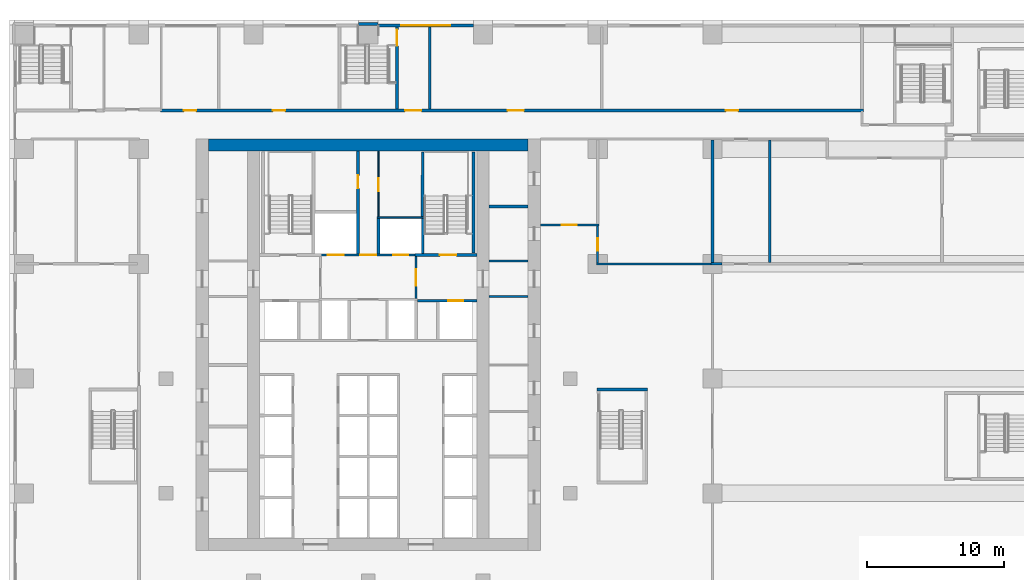
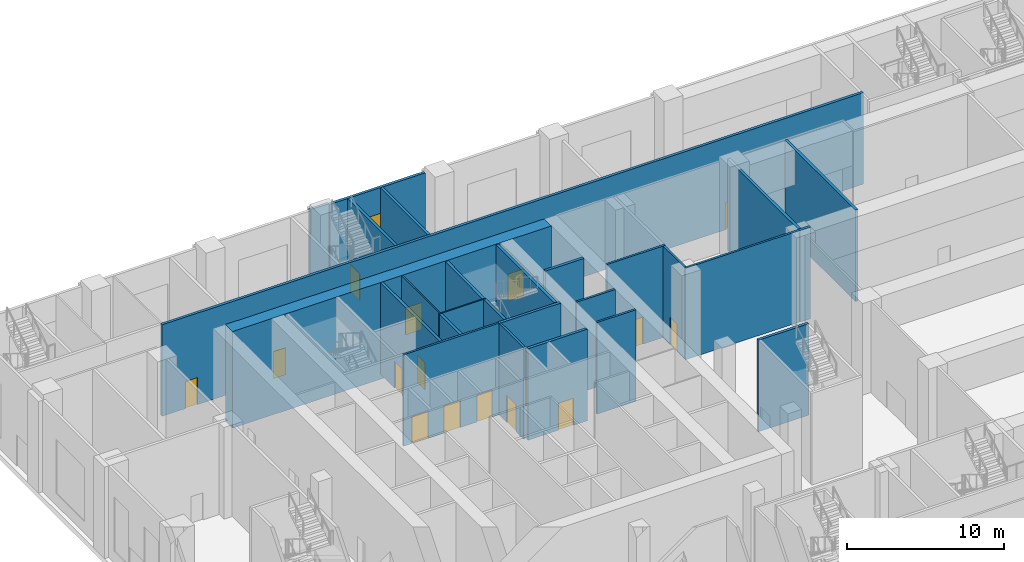
# One storey, part 12 of 29: 27 walls, 16 doors, 1 window, 17 openings.
"""IFC4 building model written with IfcOpenShell, lengths in metres."""

from ifc_helpers import new_model, si_unit, direction, frame, frame_2d, origin, place, context, subcontext, project, spatial, rectangle, extrude, material, layer, layer_set, type_object, element, fill, save


model = new_model("IFC4")

# Units and contexts
model_context = context("Model", 3, precision=1e-05, world=origin(), true_north=direction((0.0, 1.0)))
body_context = subcontext(model_context, "Body", "Model", "MODEL_VIEW")
ifc_project = project(units=[si_unit("LENGTHUNIT", "METRE"), si_unit("AREAUNIT", "SQUARE_METRE"), si_unit("VOLUMEUNIT", "CUBIC_METRE"), si_unit("PLANEANGLEUNIT", "RADIAN"), si_unit("MASSUNIT", "GRAM", prefix="KILO")], contexts=[model_context])

# Site, building, storey
site_placement = place(None, origin())
site = spatial("IfcSite", under=ifc_project, at=site_placement, CompositionType="ELEMENT")
building_placement = place(site_placement, origin())
building = spatial("IfcBuilding", under=site, at=building_placement, Name="Vermilion Ogive Tower", CompositionType="ELEMENT")
storey_placement = place(building_placement, frame((0.0, 0.0, 12.5)))
storey = spatial("IfcBuildingStorey", under=building, at=storey_placement, Name="L02", CompositionType="ELEMENT", Elevation=12.5)

# Wall
ifc_material_1 = material(Name="Gypsum board partition on steel studs", Category="steel")
ifc_layer_1 = layer(ifc_material_1, 0.10009765625)
ifc_layer_set_1 = layer_set([ifc_layer_1], Name="Partition 100 bath")
wall_type_1 = type_object("IfcWallType", Name="Partition 100 bath", PredefinedType="PARTITIONING", material=ifc_layer_set_1)
wall_1_placement = place(storey_placement, frame((0.64990234375, 16.0, 0.0), z_axis=(0.0, 0.0, 1.0), x_axis=(1.0, 0.0, 0.0)))
element("IfcWall", 1, at=wall_1_placement, inside=storey, type_object=wall_type_1, Name="L02-CK-W-W020", PredefinedType="PARTITIONING", context=body_context, shape_type="SweptSolid", body=[
    extrude(rectangle(XDim=3.4501953125, YDim=0.10009765625, at=frame_2d((1.72509765625, 0.0))), origin(), (0.0, 0.0, 1.0), 7.10009765625),
])

# Wall, opening, door
wall_2_placement = place(storey_placement, frame((0.75, 16.050048828125, 0.0), z_axis=(0.0, 0.0, 1.0), x_axis=(0.0, 1.0, 0.0)))
wall_2 = element("IfcWall", 2, at=wall_2_placement, inside=storey, type_object=wall_type_1, Name="L02-CK-W-W032", PredefinedType="PARTITIONING", context=body_context, shape_type="SweptSolid", body=[
    extrude(rectangle(XDim=4.799072265625, YDim=0.10009765625, at=frame_2d((2.3994140625, 0.0))), origin(), (0.0, 0.0, 1.0), 7.10009765625),
])
opening_1_placement = place(wall_2_placement, frame((1.875, 0.0, 0.0)))
opening_1 = element("IfcOpeningElement", 3, at=opening_1_placement, cuts=wall_2, Name="Opening DAB061", PredefinedType="OPENING", context=body_context, shape_type="SweptSolid", body=[
    extrude(rectangle(XDim=0.949951171875, YDim=2.10009765625, at=frame_2d((0.47509765625, 1.050048828125))), frame((0.0, 0.06005859375, 0.0), z_axis=(0.0, -1.0, 0.0), x_axis=(1.0, 0.0, 0.0)), (0.0, 0.0, 1.0), 0.1201171875),
])
ifc_material_2 = material(Name="Timber door leaf", Category="wood")
door_type_1 = type_object("IfcDoorType", Name="Service door 950 x 2100 FD60", OperationType="SINGLE_SWING_LEFT", PredefinedType="DOOR", material=ifc_material_2)
door_1_placement = place(opening_1_placement, origin())
door_1 = element("IfcDoor", 4, at=door_1_placement, inside=storey, type_object=door_type_1, Name="L02-CK-D-D021", OperationType="SINGLE_SWING_LEFT", OverallHeight=2.10009765625, OverallWidth=0.949951171875, PredefinedType="DOOR", context=body_context, shape_type="SweptSolid", body=[
    extrude(rectangle(XDim=0.949951171875, YDim=2.10009765625, at=frame_2d((0.47509765625, 1.050048828125))), frame((0.0, 0.02490234375, 0.0), z_axis=(0.0, -1.0, 0.0), x_axis=(1.0, 0.0, 0.0)), (0.0, 0.0, 1.0), 0.050048828125),
])
fill(opening_1, door_1)

# Wall
ifc_material_3 = material(Name="Gypsum board partition on steel studs", Category="steel")
ifc_layer_2 = layer(ifc_material_3, 0.14990234375)
ifc_layer_set_2 = layer_set([ifc_layer_2], Name="Partition 150 corridor")
wall_type_2 = type_object("IfcWallType", Name="Partition 150 corridor", PredefinedType="PARTITIONING", material=ifc_layer_set_2)
wall_3_placement = place(storey_placement, frame((16.72509765625, 12.60009765625, 0.0), z_axis=(0.0, 0.0, 1.0), x_axis=(1.0, 0.0, 0.0)))
element("IfcWall", 5, at=wall_3_placement, inside=storey, type_object=wall_type_2, Name="L02-FS-W-W025", PredefinedType="PARTITIONING", context=body_context, shape_type="SweptSolid", body=[
    extrude(rectangle(XDim=8.574951171875, YDim=0.14990234375, at=frame_2d((4.28759765625, 0.0))), origin(), (0.0, 0.0, 1.0), 7.10009765625),
])

# Wall, opening, door
wall_4_placement = place(storey_placement, frame((12.60107421875, 15.449951171875, 0.0), z_axis=(0.0, 0.0, 1.0), x_axis=(1.0, 0.0, 0.0)))
wall_4 = element("IfcWall", 6, at=wall_4_placement, inside=storey, type_object=wall_type_2, Name="L02-FS-W-W027", PredefinedType="PARTITIONING", context=body_context, shape_type="SweptSolid", body=[
    extrude(rectangle(XDim=4.298828125, YDim=0.14990234375, at=frame_2d((2.1494140625, 0.0))), origin(), (0.0, 0.0, 1.0), 7.10009765625),
])
opening_2_placement = place(wall_4_placement, frame((1.549072265625, 0.0, 0.0)))
opening_2 = element("IfcOpeningElement", 7, at=opening_2_placement, cuts=wall_4, Name="Opening L02S018", PredefinedType="OPENING", context=body_context, shape_type="SweptSolid", body=[
    extrude(rectangle(XDim=1.10009765625, YDim=2.10009765625, at=frame_2d((0.550048828125, 1.050048828125))), frame((0.0, 0.0849609375, 0.0), z_axis=(0.0, -1.0, 0.0), x_axis=(1.0, 0.0, 0.0)), (0.0, 0.0, 1.0), 0.169921875),
])
ifc_material_4 = material(Name="Timber door leaf", Category="wood")
door_type_2 = type_object("IfcDoorType", Name="Fire door 1100 x 2100 FD30", OperationType="SINGLE_SWING_LEFT", PredefinedType="DOOR", material=ifc_material_4)
door_2_placement = place(opening_2_placement, origin())
door_2 = element("IfcDoor", 8, at=door_2_placement, inside=storey, type_object=door_type_2, Name="L02-FS-D-D018", OperationType="SINGLE_SWING_LEFT", OverallHeight=2.10009765625, OverallWidth=1.10009765625, PredefinedType="DOOR", context=body_context, shape_type="SweptSolid", body=[
    extrude(rectangle(XDim=1.10009765625, YDim=2.10009765625, at=frame_2d((0.550048828125, 1.050048828125))), frame((0.0, 0.02490234375, 0.0), z_axis=(0.0, -1.0, 0.0), x_axis=(1.0, 0.0, 0.0)), (0.0, 0.0, 1.0), 0.050048828125),
])
fill(opening_2, door_2)

wall_5_placement = place(storey_placement, frame((16.800048828125, 12.675048828125, 0.0), z_axis=(0.0, 0.0, 1.0), x_axis=(0.0, 1.0, 0.0)))
wall_5 = element("IfcWall", 9, at=wall_5_placement, inside=storey, type_object=wall_type_2, Name="L02-FS-W-W064", PredefinedType="PARTITIONING", context=body_context, shape_type="SweptSolid", body=[
    extrude(rectangle(XDim=2.699951171875, YDim=0.14990234375, at=frame_2d((1.35009765625, 0.0))), origin(), (0.0, 0.0, 1.0), 7.10009765625),
])
opening_3_placement = place(wall_5_placement, frame((0.89990234375, 0.0, 0.0)))
opening_3 = element("IfcOpeningElement", 10, at=opening_3_placement, cuts=wall_5, Name="Opening L02S030", PredefinedType="OPENING", context=body_context, shape_type="SweptSolid", body=[
    extrude(rectangle(XDim=0.89990234375, YDim=2.10009765625, at=frame_2d((0.449951171875, 1.050048828125))), frame((0.0, 0.0849609375, 0.0), z_axis=(0.0, -1.0, 0.0), x_axis=(1.0, 0.0, 0.0)), (0.0, 0.0, 1.0), 0.169921875),
])
ifc_material_5 = material(Name="Timber door leaf", Category="wood")
door_type_3 = type_object("IfcDoorType", Name="Room door 900 x 2100 FD30", OperationType="SINGLE_SWING_LEFT", PredefinedType="DOOR", material=ifc_material_5)
door_3_placement = place(opening_3_placement, origin())
door_3 = element("IfcDoor", 11, at=door_3_placement, inside=storey, type_object=door_type_3, Name="L02-FS-D-D030", OperationType="SINGLE_SWING_RIGHT", OverallHeight=2.10009765625, OverallWidth=0.89990234375, PredefinedType="DOOR", context=body_context, shape_type="SweptSolid", body=[
    extrude(rectangle(XDim=0.89990234375, YDim=2.10009765625, at=frame_2d((0.449951171875, 1.050048828125))), frame((0.0, 0.02490234375, 0.0), z_axis=(0.0, -1.0, 0.0), x_axis=(1.0, 0.0, 0.0)), (0.0, 0.0, 1.0), 0.050048828125),
])
fill(opening_3, door_3)

# Wall, openings, doors
wall_6_placement = place(storey_placement, frame((-3.574951171875, 13.25, 0.0), z_axis=(0.0, 0.0, 1.0), x_axis=(1.0, 0.0, 0.0)))
wall_6 = element("IfcWall", 12, at=wall_6_placement, inside=storey, type_object=wall_type_2, Name="L02-CK-W-W018", PredefinedType="PARTITIONING", context=body_context, shape_type="SweptSolid", body=[
    extrude(rectangle(XDim=7.14990234375, YDim=0.14990234375, at=frame_2d((3.574951171875, 0.0))), origin(), (0.0, 0.0, 1.0), 7.10009765625),
])
opening_4_placement = place(wall_6_placement, frame((0.599853515625, 0.0, 0.0)))
opening_4 = element("IfcOpeningElement", 13, at=opening_4_placement, cuts=wall_6, Name="Opening DAB077", PredefinedType="OPENING", context=body_context, shape_type="SweptSolid", body=[
    extrude(rectangle(XDim=1.199951171875, YDim=2.10009765625, at=frame_2d((0.60009765625, 1.050048828125))), frame((0.0, 0.0849609375, 0.0), z_axis=(0.0, -1.0, 0.0), x_axis=(1.0, 0.0, 0.0)), (0.0, 0.0, 1.0), 0.169921875),
])
opening_5_placement = place(wall_6_placement, frame((5.39990234375, 0.0, 0.0)))
opening_5 = element("IfcOpeningElement", 14, at=opening_5_placement, cuts=wall_6, Name="Opening DAB068", PredefinedType="OPENING", context=body_context, shape_type="SweptSolid", body=[
    extrude(rectangle(XDim=1.10009765625, YDim=2.10009765625, at=frame_2d((0.550048828125, 1.050048828125))), frame((0.0, 0.0849609375, 0.0), z_axis=(0.0, -1.0, 0.0), x_axis=(1.0, 0.0, 0.0)), (0.0, 0.0, 1.0), 0.169921875),
])
opening_6_placement = place(wall_6_placement, frame((2.974853515625, 0.0, 0.0)))
opening_6 = element("IfcOpeningElement", 15, at=opening_6_placement, cuts=wall_6, Name="Opening DAB059", PredefinedType="OPENING", context=body_context, shape_type="SweptSolid", body=[
    extrude(rectangle(XDim=1.199951171875, YDim=2.10009765625, at=frame_2d((0.60009765625, 1.050048828125))), frame((0.0, 0.0849609375, 0.0), z_axis=(0.0, -1.0, 0.0), x_axis=(1.0, 0.0, 0.0)), (0.0, 0.0, 1.0), 0.169921875),
])
ifc_material_6 = material(Name="Stainless steel", Category="steel")
door_type_4 = type_object("IfcDoorType", Name="Lift landing door 1100 x 2100", OperationType="SLIDING_TO_LEFT", PredefinedType="DOOR", material=ifc_material_6)
door_4_placement = place(opening_5_placement, origin())
door_4 = element("IfcDoor", 16, at=door_4_placement, inside=storey, type_object=door_type_4, Name="L02-CK-D-D018", OperationType="SLIDING_TO_LEFT", OverallHeight=2.10009765625, OverallWidth=1.10009765625, PredefinedType="DOOR", context=body_context, shape_type="SweptSolid", body=[
    extrude(rectangle(XDim=1.10009765625, YDim=2.10009765625, at=frame_2d((0.550048828125, 1.050048828125))), frame((0.0, 0.02490234375, 0.0), z_axis=(0.0, -1.0, 0.0), x_axis=(1.0, 0.0, 0.0)), (0.0, 0.0, 1.0), 0.050048828125),
])
fill(opening_5, door_4)
ifc_material_7 = material(Name="Stainless steel", Category="steel")
door_type_5 = type_object("IfcDoorType", Name="Lift landing door 1200 x 2100", OperationType="SLIDING_TO_LEFT", PredefinedType="DOOR", material=ifc_material_7)
door_5_placement = place(opening_4_placement, origin())
door_5 = element("IfcDoor", 17, at=door_5_placement, inside=storey, type_object=door_type_5, Name="L02-CK-D-D017", OperationType="SLIDING_TO_RIGHT", OverallHeight=2.10009765625, OverallWidth=1.199951171875, PredefinedType="DOOR", context=body_context, shape_type="SweptSolid", body=[
    extrude(rectangle(XDim=1.199951171875, YDim=2.10009765625, at=frame_2d((0.60009765625, 1.050048828125))), frame((0.0, 0.02490234375, 0.0), z_axis=(0.0, -1.0, 0.0), x_axis=(1.0, 0.0, 0.0)), (0.0, 0.0, 1.0), 0.050048828125),
])
fill(opening_4, door_5)
ifc_material_8 = material(Name="Timber door leaf", Category="wood")
door_type_6 = type_object("IfcDoorType", Name="Service door 1200 x 2100 FD60", OperationType="SINGLE_SWING_LEFT", PredefinedType="DOOR", material=ifc_material_8)
door_6_placement = place(opening_6_placement, origin())
door_6 = element("IfcDoor", 18, at=door_6_placement, inside=storey, type_object=door_type_6, Name="L02-CK-D-D019", OperationType="SINGLE_SWING_RIGHT", OverallHeight=2.10009765625, OverallWidth=1.199951171875, PredefinedType="DOOR", context=body_context, shape_type="SweptSolid", body=[
    extrude(rectangle(XDim=1.199951171875, YDim=2.10009765625, at=frame_2d((0.60009765625, 1.050048828125))), frame((0.0, 0.02490234375, 0.0), z_axis=(0.0, -1.0, 0.0), x_axis=(1.0, 0.0, 0.0)), (0.0, 0.0, 1.0), 0.050048828125),
])
fill(opening_6, door_6)

# Wall, opening, door
wall_7_placement = place(storey_placement, frame((3.5, 10.074951171875, 0.0), z_axis=(0.0, 0.0, 1.0), x_axis=(0.0, 1.0, 0.0)))
wall_7 = element("IfcWall", 19, at=wall_7_placement, inside=storey, type_object=wall_type_2, Name="L02-CK-W-W036", PredefinedType="PARTITIONING", context=body_context, shape_type="SweptSolid", body=[
    extrude(rectangle(XDim=3.074951171875, YDim=0.14990234375, at=frame_2d((1.53759765625, 0.0))), origin(), (0.0, 0.0, 1.0), 7.10009765625),
])
opening_7_placement = place(wall_7_placement, frame((0.925048828125, 0.0, 0.0)))
opening_7 = element("IfcOpeningElement", 20, at=opening_7_placement, cuts=wall_7, Name="Opening DAB056", PredefinedType="OPENING", context=body_context, shape_type="SweptSolid", body=[
    extrude(rectangle(XDim=1.199951171875, YDim=2.10009765625, at=frame_2d((0.60009765625, 1.050048828125))), frame((0.0, 0.0849609375, 0.0), z_axis=(0.0, -1.0, 0.0), x_axis=(1.0, 0.0, 0.0)), (0.0, 0.0, 1.0), 0.169921875),
])
ifc_material_9 = material(Name="Timber door leaf", Category="wood")
door_type_7 = type_object("IfcDoorType", Name="Lobby door 1200 x 2100 FD60S", OperationType="SINGLE_SWING_LEFT", PredefinedType="DOOR", material=ifc_material_9)
door_7_placement = place(opening_7_placement, origin())
door_7 = element("IfcDoor", 21, at=door_7_placement, inside=storey, type_object=door_type_7, Name="L02-CK-D-D023", OperationType="SINGLE_SWING_LEFT", OverallHeight=2.10009765625, OverallWidth=1.199951171875, PredefinedType="DOOR", context=body_context, shape_type="SweptSolid", body=[
    extrude(rectangle(XDim=1.199951171875, YDim=2.10009765625, at=frame_2d((0.60009765625, 1.050048828125))), frame((0.0, 0.02490234375, 0.0), z_axis=(0.0, -1.0, 0.0), x_axis=(1.0, 0.0, 0.0)), (0.0, 0.0, 1.0), 0.050048828125),
])
fill(opening_7, door_7)

# Walls
for number, where, z_axis, x_axis, name in (
    (22, (8.85107421875, 10.199951171875, 0.0), (0.0, 0.0, 1.0), (1.0, 0.0, 0.0), "L02-CKE-W-W004"),
    (23, (8.85107421875, 12.800048828125, 0.0), (0.0, 0.0, 1.0), (1.0, 0.0, 0.0), "L02-CKE-W-W005"),
):
    element("IfcWall", number, at=place(storey_placement, frame(where, z_axis=z_axis, x_axis=x_axis)), inside=storey, type_object=wall_type_2, Name=name, PredefinedType="PARTITIONING", context=body_context, shape_type="SweptSolid", body=[
        extrude(rectangle(XDim=2.847900390625, YDim=0.14990234375, at=frame_2d((1.423828125, 0.0))), origin(), (0.0, 0.0, 1.0), 7.10009765625),
    ])
ifc_material_10 = material(Name="Gypsum board partition on steel studs", Category="steel")
ifc_layer_3 = layer(ifc_material_10, 0.199951171875)
ifc_layer_set_3 = layer_set([ifc_layer_3], Name="Partition 200 party")
wall_type_3 = type_object("IfcWallType", Name="Partition 200 party", PredefinedType="PARTITIONING", material=ifc_layer_set_3)
wall_8_placement = place(storey_placement, frame((25.10009765625, 12.60009765625, 0.0), z_axis=(0.0, 0.0, 1.0), x_axis=(1.0, 0.0, 0.0)))
element("IfcWall", 24, at=wall_8_placement, inside=storey, type_object=wall_type_3, Name="L02-FS-W-W026", PredefinedType="PARTITIONING", context=body_context, shape_type="SweptSolid", body=[
    extrude(rectangle(XDim=0.7998046875, YDim=0.199951171875, at=frame_2d((0.39990234375, 0.0))), origin(), (0.0, 0.0, 1.0), 7.10009765625),
])
wall_9_placement = place(storey_placement, frame((4.5, 23.925048828125, 0.0), z_axis=(0.0, 0.0, 1.0), x_axis=(0.0, 1.0, 0.0)))
element("IfcWall", 25, at=wall_9_placement, inside=storey, type_object=wall_type_3, Name="L02-FS-W-W057", PredefinedType="PARTITIONING", context=body_context, shape_type="SweptSolid", body=[
    extrude(rectangle(XDim=6.02490234375, YDim=0.199951171875, at=frame_2d((3.012451171875, 0.0))), origin(), (0.0, 0.0, 1.0), 7.10009765625),
])
for number, where, z_axis, x_axis, name in (
    (26, (25.199951171875, 12.699951171875, 0.0), (0.0, 0.0, 1.0), (0.0, 1.0, 0.0), "L02-FS-W-W074"),
    (27, (29.39990234375, 12.699951171875, 0.0), (0.0, 0.0, 1.0), (0.0, 1.0, 0.0), "L02-FS-W-W075"),
):
    element("IfcWall", number, at=place(storey_placement, frame(where, z_axis=z_axis, x_axis=x_axis)), inside=storey, type_object=wall_type_3, Name=name, PredefinedType="PARTITIONING", context=body_context, shape_type="SweptSolid", body=[
        extrude(rectangle(XDim=8.97509765625, YDim=0.199951171875, at=frame_2d((4.487548828125, 0.0))), origin(), (0.0, 0.0, 1.0), 7.10009765625),
    ])

# Wall, opening, door
wall_10_placement = place(storey_placement, frame((3.60009765625, 9.89990234375, 0.0), z_axis=(0.0, 0.0, 1.0), x_axis=(1.0, 0.0, 0.0)))
wall_10 = element("IfcWall", 28, at=wall_10_placement, inside=storey, type_object=wall_type_3, Name="L02-CK-W-W015", PredefinedType="PARTITIONING", context=body_context, shape_type="SweptSolid", body=[
    extrude(rectangle(XDim=4.348876953125, YDim=0.199951171875, at=frame_2d((2.17431640625, 0.0))), origin(), (0.0, 0.0, 1.0), 7.10009765625),
])
opening_8_placement = place(wall_10_placement, frame((2.25, 0.0, 0.0)))
opening_8 = element("IfcOpeningElement", 29, at=opening_8_placement, cuts=wall_10, Name="Opening DAB067", PredefinedType="OPENING", context=body_context, shape_type="SweptSolid", body=[
    extrude(rectangle(XDim=1.10009765625, YDim=2.10009765625, at=frame_2d((0.550048828125, 1.050048828125))), frame((0.0, 0.10986328125, 0.0), z_axis=(0.0, -1.0, 0.0), x_axis=(1.0, 0.0, 0.0)), (0.0, 0.0, 1.0), 0.219970703125),
])
door_8_placement = place(opening_8_placement, origin())
door_8 = element("IfcDoor", 30, at=door_8_placement, inside=storey, type_object=door_type_4, Name="L02-CK-D-D014", OperationType="SLIDING_TO_LEFT", OverallHeight=2.10009765625, OverallWidth=1.10009765625, PredefinedType="DOOR", context=body_context, shape_type="SweptSolid", body=[
    extrude(rectangle(XDim=1.10009765625, YDim=2.10009765625, at=frame_2d((0.550048828125, 1.050048828125))), frame((0.0, 0.02490234375, 0.0), z_axis=(0.0, -1.0, 0.0), x_axis=(1.0, 0.0, 0.0)), (0.0, 0.0, 1.0), 0.050048828125),
])
fill(opening_8, door_8)

wall_11_placement = place(storey_placement, frame((-0.75, 13.324951171875, 0.0), z_axis=(0.0, 0.0, 1.0), x_axis=(0.0, 1.0, 0.0)))
wall_11 = element("IfcWall", 31, at=wall_11_placement, inside=storey, type_object=wall_type_3, Name="L02-CK-W-W029", PredefinedType="PARTITIONING", context=body_context, shape_type="SweptSolid", body=[
    extrude(rectangle(XDim=7.524169921875, YDim=0.199951171875, at=frame_2d((3.76220703125, 0.0))), origin(), (0.0, 0.0, 1.0), 7.10009765625),
])
opening_9_placement = place(wall_11_placement, frame((4.800048828125, 0.0, 0.0)))
opening_9 = element("IfcOpeningElement", 32, at=opening_9_placement, cuts=wall_11, Name="Opening DAB060", PredefinedType="OPENING", context=body_context, shape_type="SweptSolid", body=[
    extrude(rectangle(XDim=0.949951171875, YDim=2.10009765625, at=frame_2d((0.47509765625, 1.050048828125))), frame((0.0, 0.10986328125, 0.0), z_axis=(0.0, -1.0, 0.0), x_axis=(1.0, 0.0, 0.0)), (0.0, 0.0, 1.0), 0.219970703125),
])
door_9_placement = place(opening_9_placement, origin())
door_9 = element("IfcDoor", 33, at=door_9_placement, inside=storey, type_object=door_type_1, Name="L02-CK-D-D020", OperationType="SINGLE_SWING_RIGHT", OverallHeight=2.10009765625, OverallWidth=0.949951171875, PredefinedType="DOOR", context=body_context, shape_type="SweptSolid", body=[
    extrude(rectangle(XDim=0.949951171875, YDim=2.10009765625, at=frame_2d((0.47509765625, 1.050048828125))), frame((0.0, 0.02490234375, 0.0), z_axis=(0.0, -1.0, 0.0), x_axis=(1.0, 0.0, 0.0)), (0.0, 0.0, 1.0), 0.050048828125),
])
fill(opening_9, door_9)

# Walls
wall_12_placement = place(storey_placement, frame((0.75, 13.324951171875, 0.0), z_axis=(0.0, 0.0, 1.0), x_axis=(0.0, 1.0, 0.0)))
element("IfcWall", 34, at=wall_12_placement, inside=storey, type_object=wall_type_3, Name="L02-CK-W-W031", PredefinedType="PARTITIONING", context=body_context, shape_type="SweptSolid", body=[
    extrude(rectangle(XDim=2.625, YDim=0.199951171875, at=frame_2d((1.3125, 0.0))), origin(), (0.0, 0.0, 1.0), 7.10009765625),
])
wall_13_placement = place(storey_placement, frame((8.85107421875, 16.800048828125, 0.0), z_axis=(0.0, 0.0, 1.0), x_axis=(1.0, 0.0, 0.0)))
element("IfcWall", 35, at=wall_13_placement, inside=storey, type_object=wall_type_3, Name="L02-CKE-W-W006", PredefinedType="PARTITIONING", context=body_context, shape_type="SweptSolid", body=[
    extrude(rectangle(XDim=2.847900390625, YDim=0.199951171875, at=frame_2d((1.423828125, 0.0))), origin(), (0.0, 0.0, 1.0), 7.10009765625),
])
ifc_material_11 = material(Name="Concrete B60", Category="concrete")
ifc_layer_4 = layer(ifc_material_11, 0.199951171875)
ifc_layer_set_4 = layer_set([ifc_layer_4], Name="Stair shaft wall 200 Concrete B60")
wall_type_4 = type_object("IfcWallType", Name="Stair shaft wall 200 Concrete B60", PredefinedType="SOLIDWALL", material=ifc_layer_set_4)
wall_14_placement = place(storey_placement, frame((-11.699951171875, 21.300048828125, -0.39990234375), z_axis=(0.0, 0.0, 1.0), x_axis=(1.0, 0.0, 0.0)))
element("IfcWall", 36, at=wall_14_placement, inside=storey, type_object=wall_type_4, Name="L02-CORE-N", PredefinedType="SOLIDWALL", context=body_context, shape_type="SweptSolid", body=[
    extrude(rectangle(XDim=23.39990234375, YDim=0.89990234375, at=frame_2d((11.699951171875, 0.0))), origin(), (0.0, 0.0, 1.0), 7.5),
])

# Wall, openings, doors
wall_15_placement = place(storey_placement, frame((-15.199951171875, 23.8251953125, 0.0), z_axis=(0.0, 0.0, 1.0), x_axis=(1.0, 0.0, 0.0)))
wall_15 = element("IfcWall", 37, at=wall_15_placement, inside=storey, type_object=wall_type_4, Name="L02-FS-W-W037", PredefinedType="SOLIDWALL", context=body_context, shape_type="SweptSolid", body=[
    extrude(rectangle(XDim=51.449951171875, YDim=0.199951171875, at=frame_2d((25.72509765625, 0.0))), origin(), (0.0, 0.0, 1.0), 7.10009765625),
])
opening_10_placement = place(wall_15_placement, frame((17.89990234375, 0.0, 0.0)))
opening_10 = element("IfcOpeningElement", 38, at=opening_10_placement, cuts=wall_15, Name="Opening L02S014", PredefinedType="OPENING", context=body_context, shape_type="SweptSolid", body=[
    extrude(rectangle(XDim=1.199951171875, YDim=2.10009765625, at=frame_2d((0.60009765625, 1.050048828125))), frame((0.0, 0.10986328125, 0.0), z_axis=(0.0, -1.0, 0.0), x_axis=(1.0, 0.0, 0.0)), (0.0, 0.0, 1.0), 0.219970703125),
])
opening_11_placement = place(wall_15_placement, frame((1.699951171875, 0.0, 0.0)))
opening_11 = element("IfcOpeningElement", 39, at=opening_11_placement, cuts=wall_15, Name="Opening L02S044", PredefinedType="OPENING", context=body_context, shape_type="SweptSolid", body=[
    extrude(rectangle(XDim=0.89990234375, YDim=2.10009765625, at=frame_2d((0.449951171875, 1.050048828125))), frame((0.0, 0.10986328125, 0.0), z_axis=(0.0, -1.0, 0.0), x_axis=(1.0, 0.0, 0.0)), (0.0, 0.0, 1.0), 0.219970703125),
])
opening_12_placement = place(wall_15_placement, frame((8.224853515625, 0.0, 0.0)))
opening_12 = element("IfcOpeningElement", 40, at=opening_12_placement, cuts=wall_15, Name="Opening L02S045", PredefinedType="OPENING", context=body_context, shape_type="SweptSolid", body=[
    extrude(rectangle(XDim=0.89990234375, YDim=2.10009765625, at=frame_2d((0.449951171875, 1.050048828125))), frame((0.0, 0.10986328125, 0.0), z_axis=(0.0, -1.0, 0.0), x_axis=(1.0, 0.0, 0.0)), (0.0, 0.0, 1.0), 0.219970703125),
])
opening_13_placement = place(wall_15_placement, frame((25.39990234375, 0.0, 0.0)))
opening_13 = element("IfcOpeningElement", 41, at=opening_13_placement, cuts=wall_15, Name="Opening L02S046", PredefinedType="OPENING", context=body_context, shape_type="SweptSolid", body=[
    extrude(rectangle(XDim=1.199951171875, YDim=2.10009765625, at=frame_2d((0.60009765625, 1.050048828125))), frame((0.0, 0.10986328125, 0.0), z_axis=(0.0, -1.0, 0.0), x_axis=(1.0, 0.0, 0.0)), (0.0, 0.0, 1.0), 0.219970703125),
])
opening_14_placement = place(wall_15_placement, frame((41.375, 0.0, 0.0)))
opening_14 = element("IfcOpeningElement", 42, at=opening_14_placement, cuts=wall_15, Name="Opening L02S047", PredefinedType="OPENING", context=body_context, shape_type="SweptSolid", body=[
    extrude(rectangle(XDim=0.89990234375, YDim=2.10009765625, at=frame_2d((0.449951171875, 1.050048828125))), frame((0.0, 0.10986328125, 0.0), z_axis=(0.0, -1.0, 0.0), x_axis=(1.0, 0.0, 0.0)), (0.0, 0.0, 1.0), 0.219970703125),
])
ifc_material_12 = material(Name="Timber door leaf", Category="wood")
door_type_8 = type_object("IfcDoorType", Name="Room door 1200 x 2100 FD30", OperationType="SINGLE_SWING_LEFT", PredefinedType="DOOR", material=ifc_material_12)
door_10_placement = place(opening_13_placement, origin())
door_10 = element("IfcDoor", 43, at=door_10_placement, inside=storey, type_object=door_type_8, Name="L02-FS-D-D046", OperationType="SINGLE_SWING_LEFT", OverallHeight=2.10009765625, OverallWidth=1.199951171875, PredefinedType="DOOR", context=body_context, shape_type="SweptSolid", body=[
    extrude(rectangle(XDim=1.199951171875, YDim=2.10009765625, at=frame_2d((0.60009765625, 1.050048828125))), frame((0.0, 0.02490234375, 0.0), z_axis=(0.0, -1.0, 0.0), x_axis=(1.0, 0.0, 0.0)), (0.0, 0.0, 1.0), 0.050048828125),
])
fill(opening_13, door_10)
door_11_placement = place(opening_11_placement, origin())
door_11 = element("IfcDoor", 44, at=door_11_placement, inside=storey, type_object=door_type_3, Name="L02-FS-D-D044", OperationType="SINGLE_SWING_RIGHT", OverallHeight=2.10009765625, OverallWidth=0.89990234375, PredefinedType="DOOR", context=body_context, shape_type="SweptSolid", body=[
    extrude(rectangle(XDim=0.89990234375, YDim=2.10009765625, at=frame_2d((0.449951171875, 1.050048828125))), frame((0.0, 0.02490234375, 0.0), z_axis=(0.0, -1.0, 0.0), x_axis=(1.0, 0.0, 0.0)), (0.0, 0.0, 1.0), 0.050048828125),
])
fill(opening_11, door_11)
door_12_placement = place(opening_12_placement, origin())
door_12 = element("IfcDoor", 45, at=door_12_placement, inside=storey, type_object=door_type_3, Name="L02-FS-D-D045", OperationType="SINGLE_SWING_RIGHT", OverallHeight=2.10009765625, OverallWidth=0.89990234375, PredefinedType="DOOR", context=body_context, shape_type="SweptSolid", body=[
    extrude(rectangle(XDim=0.89990234375, YDim=2.10009765625, at=frame_2d((0.449951171875, 1.050048828125))), frame((0.0, 0.02490234375, 0.0), z_axis=(0.0, -1.0, 0.0), x_axis=(1.0, 0.0, 0.0)), (0.0, 0.0, 1.0), 0.050048828125),
])
fill(opening_12, door_12)
door_13_placement = place(opening_14_placement, origin())
door_13 = element("IfcDoor", 46, at=door_13_placement, inside=storey, type_object=door_type_3, Name="L02-FS-D-D047", OperationType="SINGLE_SWING_RIGHT", OverallHeight=2.10009765625, OverallWidth=0.89990234375, PredefinedType="DOOR", context=body_context, shape_type="SweptSolid", body=[
    extrude(rectangle(XDim=0.89990234375, YDim=2.10009765625, at=frame_2d((0.449951171875, 1.050048828125))), frame((0.0, 0.02490234375, 0.0), z_axis=(0.0, -1.0, 0.0), x_axis=(1.0, 0.0, 0.0)), (0.0, 0.0, 1.0), 0.050048828125),
])
fill(opening_14, door_13)
ifc_material_13 = material(Name="Timber door leaf", Category="wood")
door_type_9 = type_object("IfcDoorType", Name="Stair door 1200 x 2100 FD60S", OperationType="SINGLE_SWING_LEFT", PredefinedType="DOOR", material=ifc_material_13)
door_14_placement = place(opening_10_placement, origin())
door_14 = element("IfcDoor", 47, at=door_14_placement, inside=storey, type_object=door_type_9, Name="L02-FS-D-D014", OperationType="SINGLE_SWING_RIGHT", OverallHeight=2.10009765625, OverallWidth=1.199951171875, PredefinedType="DOOR", context=body_context, shape_type="SweptSolid", body=[
    extrude(rectangle(XDim=1.199951171875, YDim=2.10009765625, at=frame_2d((0.60009765625, 1.050048828125))), frame((0.0, 0.02490234375, 0.0), z_axis=(0.0, -1.0, 0.0), x_axis=(1.0, 0.0, 0.0)), (0.0, 0.0, 1.0), 0.050048828125),
])
fill(opening_10, door_14)

# Wall, opening, door
wall_16_placement = place(storey_placement, frame((2.10009765625, 23.925048828125, 0.0), z_axis=(0.0, 0.0, 1.0), x_axis=(0.0, 1.0, 0.0)))
wall_16 = element("IfcWall", 48, at=wall_16_placement, inside=storey, type_object=wall_type_4, Name="L02-FS-W-W056", PredefinedType="SOLIDWALL", context=body_context, shape_type="SweptSolid", body=[
    extrude(rectangle(XDim=6.02490234375, YDim=0.199951171875, at=frame_2d((3.012451171875, 0.0))), origin(), (0.0, 0.0, 1.0), 7.10009765625),
])
opening_15_placement = place(wall_16_placement, frame((4.625, 0.0, 0.0)))
opening_15 = element("IfcOpeningElement", 49, at=opening_15_placement, cuts=wall_16, Name="Opening L02S005", PredefinedType="OPENING", context=body_context, shape_type="SweptSolid", body=[
    extrude(rectangle(XDim=1.199951171875, YDim=2.10009765625, at=frame_2d((0.60009765625, 1.050048828125))), frame((0.0, 0.10986328125, 0.0), z_axis=(0.0, -1.0, 0.0), x_axis=(1.0, 0.0, 0.0)), (0.0, 0.0, 1.0), 0.219970703125),
])
door_15_placement = place(opening_15_placement, origin())
door_15 = element("IfcDoor", 50, at=door_15_placement, inside=storey, type_object=door_type_9, Name="L02-FS-D-D005", OperationType="DOUBLE_DOOR_SINGLE_SWING", OverallHeight=2.10009765625, OverallWidth=1.199951171875, PredefinedType="DOOR", context=body_context, shape_type="SweptSolid", body=[
    extrude(rectangle(XDim=1.199951171875, YDim=2.10009765625, at=frame_2d((0.60009765625, 1.050048828125))), frame((0.0, 0.02490234375, 0.0), z_axis=(0.0, -1.0, 0.0), x_axis=(1.0, 0.0, 0.0)), (0.0, 0.0, 1.0), 0.050048828125),
])
fill(opening_15, door_15)

# Wall, opening, window
wall_17_placement = place(storey_placement, frame((0.699951171875, 30.050048828125, 0.0), z_axis=(0.0, 0.0, 1.0), x_axis=(1.0, 0.0, 0.0)))
wall_17 = element("IfcWall", 51, at=wall_17_placement, inside=storey, type_object=wall_type_4, Name="Window wall N4", PredefinedType="SOLIDWALL", context=body_context, shape_type="SweptSolid", body=[
    extrude(rectangle(XDim=7.0, YDim=0.199951171875, at=frame_2d((3.5, 0.0))), origin(), (0.0, 0.0, 1.0), 7.10009765625),
])
opening_16_placement = place(wall_17_placement, frame((1.699951171875, 0.0, 0.89990234375)))
opening_16 = element("IfcOpeningElement", 52, at=opening_16_placement, cuts=wall_17, Name="Opening P-N4", PredefinedType="OPENING", context=body_context, shape_type="SweptSolid", body=[
    extrude(rectangle(XDim=3.60009765625, YDim=4.199951171875, at=frame_2d((1.800048828125, 2.10009765625))), frame((0.0, 0.10986328125, 0.0), z_axis=(0.0, -1.0, 0.0), x_axis=(1.0, 0.0, 0.0)), (0.0, 0.0, 1.0), 0.219970703125),
])
ifc_material_14 = material(Name="Aluminium framed double glazing", Category="aluminium")
window_type = type_object("IfcWindowType", Name="Podium window P 3600x4200 sill 900", PartitioningType="SINGLE_PANEL", PredefinedType="WINDOW", material=ifc_material_14)
window_placement = place(opening_16_placement, origin())
window = element("IfcWindow", 53, at=window_placement, inside=storey, type_object=window_type, Name="Window N4", OverallHeight=4.199951171875, OverallWidth=3.60009765625, PartitioningType="SINGLE_PANEL", PredefinedType="WINDOW", context=body_context, shape_type="SweptSolid", body=[
    extrude(rectangle(XDim=3.60009765625, YDim=4.199951171875, at=frame_2d((1.800048828125, 2.10009765625))), frame((0.0, 0.030029296875, 0.0), z_axis=(0.0, -1.0, 0.0), x_axis=(1.0, 0.0, 0.0)), (0.0, 0.0, 1.0), 0.06005859375),
])
fill(opening_16, window)

# Wall, opening, door
wall_18_placement = place(storey_placement, frame((3.425048828125, 13.25, 0.0), z_axis=(0.0, 0.0, 1.0), x_axis=(1.0, 0.0, 0.0)))
wall_18 = element("IfcWall", 54, at=wall_18_placement, inside=storey, type_object=wall_type_4, Name="L02-CK-W-W019", PredefinedType="SOLIDWALL", context=body_context, shape_type="SweptSolid", body=[
    extrude(rectangle(XDim=4.52392578125, YDim=0.199951171875, at=frame_2d((2.261962890625, 0.0))), origin(), (0.0, 0.0, 1.0), 7.10009765625),
])
opening_17_placement = place(wall_18_placement, frame((1.824951171875, 0.0, 0.0)))
opening_17 = element("IfcOpeningElement", 55, at=opening_17_placement, cuts=wall_18, Name="Opening DAB063", PredefinedType="OPENING", context=body_context, shape_type="SweptSolid", body=[
    extrude(rectangle(XDim=1.199951171875, YDim=2.10009765625, at=frame_2d((0.60009765625, 1.050048828125))), frame((0.0, 0.10986328125, 0.0), z_axis=(0.0, -1.0, 0.0), x_axis=(1.0, 0.0, 0.0)), (0.0, 0.0, 1.0), 0.219970703125),
])
door_16_placement = place(opening_17_placement, origin())
door_16 = element("IfcDoor", 56, at=door_16_placement, inside=storey, type_object=door_type_9, Name="L02-CK-D-D013", OperationType="SINGLE_SWING_RIGHT", OverallHeight=2.10009765625, OverallWidth=1.199951171875, PredefinedType="DOOR", context=body_context, shape_type="SweptSolid", body=[
    extrude(rectangle(XDim=1.199951171875, YDim=2.10009765625, at=frame_2d((0.60009765625, 1.050048828125))), frame((0.0, 0.02490234375, 0.0), z_axis=(0.0, -1.0, 0.0), x_axis=(1.0, 0.0, 0.0)), (0.0, 0.0, 1.0), 0.050048828125),
])
fill(opening_17, door_16)

# Walls
wall_19_placement = place(storey_placement, frame((4.0, 13.35009765625, 0.0), z_axis=(0.0, 0.0, 1.0), x_axis=(0.0, 1.0, 0.0)))
element("IfcWall", 57, at=wall_19_placement, inside=storey, type_object=wall_type_4, Name="L02-CK-W-W037", PredefinedType="SOLIDWALL", context=body_context, shape_type="SweptSolid", body=[
    extrude(rectangle(XDim=2.599853515625, YDim=0.199951171875, at=frame_2d((1.2998046875, 0.0))), origin(), (0.0, 0.0, 1.0), 7.10009765625),
])
wall_20_placement = place(storey_placement, frame((3.949951171875, 16.050048828125, 0.0), z_axis=(0.0, 0.0, 1.0), x_axis=(0.010538176883, 0.999944471872, 0.0)))
element("IfcWall", 58, at=wall_20_placement, inside=storey, type_object=wall_type_4, Name="L02-CK-W-W038", PredefinedType="SOLIDWALL", context=body_context, shape_type="SweptSolid", body=[
    extrude(rectangle(XDim=4.749267578125, YDim=0.199951171875, at=frame_2d((2.37451171875, 0.0))), origin(), (0.0, 0.0, 1.0), 7.10009765625),
])
wall_21_placement = place(storey_placement, frame((16.75, 3.39990234375, 0.0), z_axis=(0.0, 0.0, 1.0), x_axis=(1.0, 0.0, 0.0)))
element("IfcWall", 59, at=wall_21_placement, inside=storey, type_object=wall_type_4, Name="L02-SW-ST8-N1", PredefinedType="SOLIDWALL", context=body_context, shape_type="SweptSolid", body=[
    extrude(rectangle(XDim=3.699951171875, YDim=0.199951171875, at=frame_2d((1.85009765625, 0.0))), origin(), (0.0, 0.0, 1.0), 7.10009765625),
])
wall_22_placement = place(storey_placement, frame((-0.699951171875, 30.14990234375, 0.0), z_axis=(0.0, 0.0, 1.0), x_axis=(1.0, 0.0, 0.0)))
element("IfcWall", 60, at=wall_22_placement, inside=storey, type_object=wall_type_4, Name="L02-SW-R009-N1", PredefinedType="SOLIDWALL", context=body_context, shape_type="SweptSolid", body=[
    extrude(rectangle(XDim=1.39990234375, YDim=0.199951171875, at=frame_2d((0.699951171875, 0.0))), origin(), (0.0, 0.0, 1.0), 7.10009765625),
])
wall_23_placement = place(storey_placement, frame((7.699951171875, 13.39990234375, 0.0), z_axis=(0.0, 0.0, 1.0), x_axis=(0.0, 1.0, 0.0)))
element("IfcWall", 61, at=wall_23_placement, inside=storey, type_object=wall_type_4, Name="L02-SW-R025-E1", PredefinedType="SOLIDWALL", context=body_context, shape_type="SweptSolid", body=[
    extrude(rectangle(XDim=7.400146484375, YDim=0.199951171875, at=frame_2d((3.7001953125, 0.0))), origin(), (0.0, 0.0, 1.0), 7.10009765625),
])

save(model, "model.ifc")
